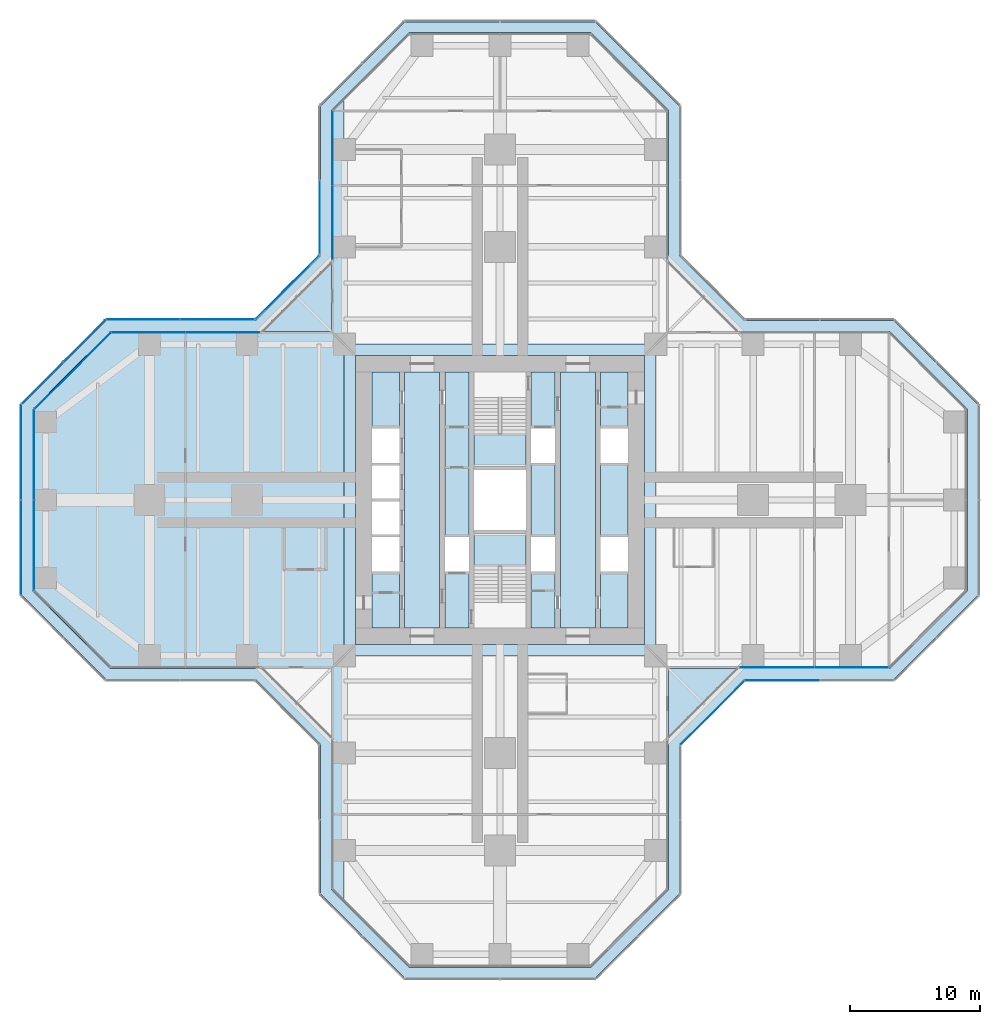
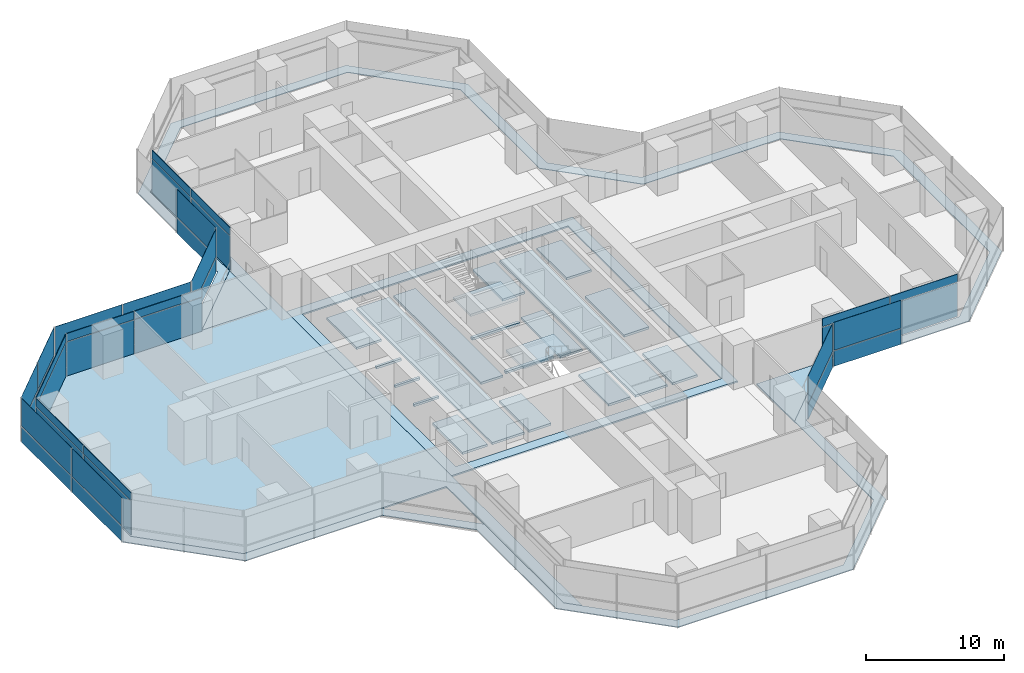
# One storey, part 15 of 22: 39 plates, 7 slabs, 14 elements without a shape of their own.
"""IFC4 building model written with IfcOpenShell, lengths in metres."""

from ifc_helpers import new_model, si_unit, direction, frame, origin, origin_2d, place, context, subcontext, project, spatial, polyline, rectangle, outline, extrude, material, layer, layer_set, type_object, element, aggregate, save


model = new_model("IFC4")

# Units and contexts
model_context = context("Model", 3, precision=1e-05, world=origin(), true_north=direction((0.0, 1.0)))
body_context = subcontext(model_context, "Body", "Model", "MODEL_VIEW")
ifc_project = project(units=[si_unit("LENGTHUNIT", "METRE"), si_unit("AREAUNIT", "SQUARE_METRE"), si_unit("VOLUMEUNIT", "CUBIC_METRE"), si_unit("PLANEANGLEUNIT", "RADIAN"), si_unit("MASSUNIT", "GRAM", prefix="KILO")], contexts=[model_context])

# Site, building, storey
site_placement = place(None, origin())
site = spatial("IfcSite", under=ifc_project, at=site_placement, CompositionType="ELEMENT")
building_placement = place(site_placement, origin())
building = spatial("IfcBuilding", under=site, at=building_placement, Name="Mizan Broadcast Tower", CompositionType="ELEMENT")
storey_placement = place(building_placement, frame((0.0, 0.0, 105.89990234375)))
storey = spatial("IfcBuildingStorey", under=building, at=storey_placement, Name="L23", CompositionType="ELEMENT", Elevation=105.89990234375)

# Plate
ifc_material_1 = material(Name="Aluminium grating", Category="aluminium")
ifc_layer_1 = layer(ifc_material_1, 0.050048828125)
ifc_layer_set_1 = layer_set([ifc_layer_1], Name="Aluminium grating")
plate_type_1 = type_object("IfcPlateType", Name="CAVITY GRATING", PredefinedType="USERDEFINED", material=ifc_layer_set_1)
plate_1_placement = place(storey_placement, frame((0.0, 0.0, -0.0498046875)))
element("IfcPlate", 1, at=plate_1_placement, inside=storey, type_object=plate_type_1, Name="Cavity grating L23", ObjectType="GRATING", PredefinedType="USERDEFINED", context=body_context, shape_type="SweptSolid", body=[
    extrude(outline(polyline([(13.820068359375, -18.839599609375), (18.839599609375, -13.820068359375), (30.339599609375, -13.820068359375), (36.820068359375, -7.339599609375), (36.820068359375, 7.339599609375), (30.339599609375, 13.820068359375), (18.839599609375, 13.820068359375), (13.820068359375, 18.839599609375), (13.820068359375, 30.339599609375), (7.339599609375, 36.820068359375), (-7.339599609375, 36.820068359375), (-13.820068359375, 30.339599609375), (-13.820068359375, 18.839599609375), (-18.839599609375, 13.820068359375), (-30.339599609375, 13.820068359375), (-36.820068359375, 7.339599609375), (-36.820068359375, -7.339599609375), (-30.339599609375, -13.820068359375), (-18.839599609375, -13.820068359375), (-13.820068359375, -18.839599609375), (-13.820068359375, -30.339599609375), (-7.339599609375, -36.820068359375), (7.339599609375, -36.820068359375), (13.820068359375, -30.339599609375), (13.820068359375, -18.839599609375)]), holes=[polyline([(36.0, 7.0), (36.0, -7.0), (30.0, -13.0), (18.5, -13.0), (13.0, -18.5), (13.0, -30.0), (7.0, -36.0), (-7.0, -36.0), (-13.0, -30.0), (-13.0, -18.5), (-18.5, -13.0), (-30.0, -13.0), (-36.0, -7.0), (-36.0, 7.0), (-30.0, 13.0), (-18.5, 13.0), (-13.0, 18.5), (-13.0, 30.0), (-7.0, 36.0), (7.0, 36.0), (13.0, 30.0), (13.0, 18.5), (18.5, 13.0), (30.0, 13.0), (36.0, 7.0)])]), origin(), (0.0, 0.0, 1.0), 0.0498046875),
])

# Slabs
ifc_material_2 = material(Name="Concrete C32/40", Category="concrete")
ifc_layer_2 = layer(ifc_material_2, 0.1298828125)
ifc_layer_set_2 = layer_set([ifc_layer_2], Name="Concrete C32/40")
slab_type_1 = type_object("IfcSlabType", Name="COMPOSITE DECK SLAB 130", PredefinedType="FLOOR", material=ifc_layer_set_2)
slab_1_placement = place(storey_placement, frame((0.0, 0.0, -0.1298828125)))
element("IfcSlab", 2, at=slab_1_placement, inside=storey, type_object=slab_type_1, Name="Floor slab L23 centre", PredefinedType="FLOOR", context=body_context, shape_type="SweptSolid", body=[
    extrude(outline(polyline([(-12.0, -12.0), (12.0, -12.0), (12.0, 12.0), (-12.0, 12.0), (-12.0, -12.0)]), holes=[polyline([(-11.14990234375, 11.14990234375), (11.14990234375, 11.14990234375), (11.14990234375, -11.14990234375), (-11.14990234375, -11.14990234375), (-11.14990234375, 11.14990234375)])]), origin(), (0.0, 0.0, 1.0), 0.1298828125),
])
slab_2_placement = place(storey_placement, frame((0.0, 0.0, -0.1298828125)))
element("IfcSlab", 3, at=slab_2_placement, inside=storey, type_object=slab_type_1, Name="Floor slab L23 west arm", PredefinedType="FLOOR", context=body_context, shape_type="SweptSolid", body=[
    extrude(outline(polyline([(-13.0, -30.0), (-12.0, -31.0), (-12.0, 31.0), (-13.0, 30.0), (-13.0, 13.0), (-30.0, 13.0), (-36.0, 7.0), (-36.0, -7.0), (-30.0, -13.0), (-13.0, -13.0), (-13.0, -30.0)])), origin(), (0.0, 0.0, 1.0), 0.1298828125),
])
ifc_material_3 = material(Name="Concrete C40/50", Category="concrete")
ifc_layer_3 = layer(ifc_material_3, 0.199951171875)
ifc_layer_set_3 = layer_set([ifc_layer_3], Name="Concrete C40/50")
slab_type_2 = type_object("IfcSlabType", Name="CORE FLOOR 200", PredefinedType="FLOOR", material=ifc_layer_set_3)
slab_3_placement = place(storey_placement, frame((0.0, 0.0, -0.199951171875)))
element("IfcSlab", 4, at=slab_3_placement, inside=storey, type_object=slab_type_2, Name="Core floor L23", PredefinedType="FLOOR", context=body_context, shape_type="SweptSolid", body=[
    extrude(outline(polyline([(-9.85009765625, -9.85009765625), (-7.75, -9.85009765625), (-7.75, -5.5), (-9.85009765625, -5.5), (-9.85009765625, -9.85009765625)])), origin(), (0.0, 0.0, 1.0), 0.199951171875),
    extrude(outline(polyline([(-9.85009765625, -2.85009765625), (-7.75, -2.85009765625), (-7.75, -2.64990234375), (-9.85009765625, -2.64990234375), (-9.85009765625, -2.85009765625)])), origin(), (0.0, 0.0, 1.0), 0.199951171875),
    extrude(outline(polyline([(-9.85009765625, -0.10009765625), (-7.75, -0.10009765625), (-7.75, 0.10009765625), (-9.85009765625, 0.10009765625), (-9.85009765625, -0.10009765625)])), origin(), (0.0, 0.0, 1.0), 0.199951171875),
    extrude(outline(polyline([(-9.85009765625, 2.64990234375), (-7.75, 2.64990234375), (-7.75, 2.85009765625), (-9.85009765625, 2.85009765625), (-9.85009765625, 2.64990234375)])), origin(), (0.0, 0.0, 1.0), 0.199951171875),
    extrude(outline(polyline([(-9.85009765625, 5.5), (-7.75, 5.5), (-7.75, 9.85009765625), (-9.85009765625, 9.85009765625), (-9.85009765625, 5.5)])), origin(), (0.0, 0.0, 1.0), 0.199951171875),
    extrude(outline(polyline([(-4.64990234375, 9.85009765625), (-7.35009765625, 9.85009765625), (-7.35009765625, -9.85009765625), (-4.64990234375, -9.85009765625), (-4.64990234375, 9.85009765625)])), origin(), (0.0, 0.0, 1.0), 0.199951171875),
    extrude(outline(polyline([(-4.25, -5.5), (-4.25, -9.85009765625), (-2.39990234375, -9.85009765625), (-2.39990234375, -5.5), (-4.25, -5.5)])), origin(), (0.0, 0.0, 1.0), 0.199951171875),
    extrude(outline(polyline([(-4.25, -2.85009765625), (-2.39990234375, -2.85009765625), (-2.39990234375, 9.85009765625), (-4.25, 9.85009765625), (-4.25, -2.85009765625)])), origin(), (0.0, 0.0, 1.0), 0.199951171875),
    extrude(outline(polyline([(2.0, -2.324951171875), (-2.0, -2.324951171875), (-2.0, -2.574951171875), (2.0, -2.574951171875), (2.0, -2.324951171875)])), origin(), (0.0, 0.0, 1.0), 0.199951171875),
    extrude(outline(polyline([(2.0, 2.574951171875), (-2.0, 2.574951171875), (-2.0, 2.324951171875), (2.0, 2.324951171875), (2.0, 2.574951171875)])), origin(), (0.0, 0.0, 1.0), 0.199951171875),
    extrude(outline(polyline([(4.25, -9.85009765625), (4.25, -5.5), (2.39990234375, -5.5), (2.39990234375, -9.85009765625), (4.25, -9.85009765625)])), origin(), (0.0, 0.0, 1.0), 0.199951171875),
    extrude(outline(polyline([(4.25, -2.85009765625), (4.25, 2.85009765625), (2.39990234375, 2.85009765625), (2.39990234375, -2.85009765625), (4.25, -2.85009765625)])), origin(), (0.0, 0.0, 1.0), 0.199951171875),
    extrude(outline(polyline([(4.25, 5.5), (4.25, 9.85009765625), (2.39990234375, 9.85009765625), (2.39990234375, 5.5), (4.25, 5.5)])), origin(), (0.0, 0.0, 1.0), 0.199951171875),
    extrude(outline(polyline([(4.64990234375, 9.85009765625), (4.64990234375, -9.85009765625), (7.35009765625, -9.85009765625), (7.35009765625, 9.85009765625), (4.64990234375, 9.85009765625)])), origin(), (0.0, 0.0, 1.0), 0.199951171875),
    extrude(outline(polyline([(9.85009765625, -9.85009765625), (9.85009765625, -5.5), (7.75, -5.5), (7.75, -9.85009765625), (9.85009765625, -9.85009765625)])), origin(), (0.0, 0.0, 1.0), 0.199951171875),
    extrude(outline(polyline([(7.75, 2.85009765625), (7.75, -2.85009765625), (9.85009765625, -2.85009765625), (9.85009765625, 2.85009765625), (7.75, 2.85009765625)])), origin(), (0.0, 0.0, 1.0), 0.199951171875),
    extrude(outline(polyline([(9.85009765625, 5.5), (9.85009765625, 9.85009765625), (7.75, 9.85009765625), (7.75, 5.5), (9.85009765625, 5.5)])), origin(), (0.0, 0.0, 1.0), 0.199951171875),
])

# Curtain wall, plates
ifc_material_4 = material(Name="Aluminium framed glazing", Category="aluminium")
curtain_wall_type_1 = type_object("IfcCurtainWallType", Name="INNER SKIN LOW ZONE", PredefinedType="USERDEFINED", material=ifc_material_4)
curtain_wall_1_placement = place(storey_placement, origin())
curtain_wall_1 = element("IfcCurtainWall", 5, at=curtain_wall_1_placement, inside=storey, type_object=curtain_wall_type_1, Name="Inner skin low zone L23 E side", ObjectType="INNER SKIN LOW ZONE", PredefinedType="USERDEFINED")
ifc_material_5 = material(Name="Double glazing, clear low-e", Category="glass")
ifc_layer_4 = layer(ifc_material_5, 0.028076171875)
ifc_layer_set_4 = layer_set([ifc_layer_4], Name="Double glazing, clear low-e")
plate_type_2 = type_object("IfcPlateType", Name="INNER SKIN GLAZING UNIT", PredefinedType="CURTAIN_PANEL", material=ifc_layer_set_4)
plate_2_placement = place(storey_placement, frame((21.379638671875, -12.89990234375, 0.0), z_axis=(0.0, 0.0, 1.0), x_axis=(1.0, 0.0, 0.0)))
plate_2 = element("IfcPlate", 6, at=plate_2_placement, type_object=plate_type_2, Name="Inner skin low zone L23 E side panel 1.1", PredefinedType="CURTAIN_PANEL", context=body_context, shape_type="SweptSolid", body=[
    extrude(rectangle(XDim=5.639404296875, YDim=0.028076171875, at=origin_2d()), origin(), (0.0, 0.0, 1.0), 3.0),
])
plate_3_placement = place(storey_placement, frame((27.078857421875, -12.89990234375, 0.0), z_axis=(0.0, 0.0, 1.0), x_axis=(1.0, 0.0, 0.0)))
plate_3 = element("IfcPlate", 7, at=plate_3_placement, type_object=plate_type_2, Name="Inner skin low zone L23 E side panel 2.1", PredefinedType="CURTAIN_PANEL", context=body_context, shape_type="SweptSolid", body=[
    extrude(rectangle(XDim=5.639404296875, YDim=0.028076171875, at=origin_2d()), origin(), (0.0, 0.0, 1.0), 3.0),
])

curtain_wall_2_placement = place(storey_placement, origin())
curtain_wall_2 = element("IfcCurtainWall", 8, at=curtain_wall_2_placement, inside=storey, type_object=curtain_wall_type_1, Name="Inner skin low zone L23 N side", ObjectType="INNER SKIN LOW ZONE", PredefinedType="USERDEFINED")
plate_4_placement = place(storey_placement, frame((-12.89990234375, 27.078857421875, 0.0), z_axis=(0.0, 0.0, 1.0), x_axis=(0.0, -1.0, 0.0)))
plate_4 = element("IfcPlate", 9, at=plate_4_placement, type_object=plate_type_2, Name="Inner skin low zone L23 N side panel 1.1", PredefinedType="CURTAIN_PANEL", context=body_context, shape_type="SweptSolid", body=[
    extrude(rectangle(XDim=5.639404296875, YDim=0.028076171875, at=origin_2d()), origin(), (0.0, 0.0, 1.0), 3.0),
])
plate_5_placement = place(storey_placement, frame((-12.89990234375, 21.379638671875, 0.0), z_axis=(0.0, 0.0, 1.0), x_axis=(0.0, -1.0, 0.0)))
plate_5 = element("IfcPlate", 10, at=plate_5_placement, type_object=plate_type_2, Name="Inner skin low zone L23 N side panel 2.1", PredefinedType="CURTAIN_PANEL", context=body_context, shape_type="SweptSolid", body=[
    extrude(rectangle(XDim=5.639404296875, YDim=0.028076171875, at=origin_2d()), origin(), (0.0, 0.0, 1.0), 3.0),
])

curtain_wall_3_placement = place(storey_placement, origin())
curtain_wall_3 = element("IfcCurtainWall", 11, at=curtain_wall_3_placement, inside=storey, type_object=curtain_wall_type_1, Name="Inner skin low zone L23 W side", ObjectType="INNER SKIN LOW ZONE", PredefinedType="USERDEFINED")
plate_6_placement = place(storey_placement, frame((-21.379638671875, 12.89990234375, 0.0), z_axis=(0.0, 0.0, 1.0), x_axis=(-1.0, 0.0, 0.0)))
plate_6 = element("IfcPlate", 12, at=plate_6_placement, type_object=plate_type_2, Name="Inner skin low zone L23 W side panel 1.1", PredefinedType="CURTAIN_PANEL", context=body_context, shape_type="SweptSolid", body=[
    extrude(rectangle(XDim=5.639404296875, YDim=0.028076171875, at=origin_2d()), origin(), (0.0, 0.0, 1.0), 3.0),
])
plate_7_placement = place(storey_placement, frame((-27.078857421875, 12.89990234375, 0.0), z_axis=(0.0, 0.0, 1.0), x_axis=(-1.0, 0.0, 0.0)))
plate_7 = element("IfcPlate", 13, at=plate_7_placement, type_object=plate_type_2, Name="Inner skin low zone L23 W side panel 2.1", PredefinedType="CURTAIN_PANEL", context=body_context, shape_type="SweptSolid", body=[
    extrude(rectangle(XDim=5.639404296875, YDim=0.028076171875, at=origin_2d()), origin(), (0.0, 0.0, 1.0), 3.0),
])

# Curtain wall, plate
curtain_wall_4_placement = place(storey_placement, origin())
curtain_wall_4 = element("IfcCurtainWall", 14, at=curtain_wall_4_placement, inside=storey, type_object=curtain_wall_type_1, Name="Inner skin low zone L23 W chamfer", ObjectType="INNER SKIN LOW ZONE", PredefinedType="USERDEFINED")
plate_8_placement = place(storey_placement, frame((-32.92919921875, 9.92919921875, 0.0), z_axis=(0.0, 0.0, 1.0), x_axis=(-0.707106781187, -0.707106781187, 0.0)))
plate_8 = element("IfcPlate", 15, at=plate_8_placement, type_object=plate_type_2, Name="Inner skin low zone L23 W chamfer panel 1.1", PredefinedType="CURTAIN_PANEL", context=body_context, shape_type="SweptSolid", body=[
    extrude(rectangle(XDim=8.282470703125, YDim=0.028076171875, at=origin_2d()), origin(), (0.0, 0.0, 1.0), 3.0),
])

# Curtain wall, plates
curtain_wall_5_placement = place(storey_placement, origin())
curtain_wall_5 = element("IfcCurtainWall", 16, at=curtain_wall_5_placement, inside=storey, type_object=curtain_wall_type_1, Name="Inner skin low zone L23 W end", ObjectType="INNER SKIN LOW ZONE", PredefinedType="USERDEFINED")
plate_9_placement = place(storey_placement, frame((-35.89990234375, 3.46435546875, 0.0), z_axis=(0.0, 0.0, 1.0), x_axis=(0.0, -1.0, 0.0)))
plate_9 = element("IfcPlate", 17, at=plate_9_placement, type_object=plate_type_2, Name="Inner skin low zone L23 W end panel 1.1", PredefinedType="CURTAIN_PANEL", context=body_context, shape_type="SweptSolid", body=[
    extrude(rectangle(XDim=6.86865234375, YDim=0.028076171875, at=origin_2d()), origin(), (0.0, 0.0, 1.0), 3.0),
])
plate_10_placement = place(storey_placement, frame((-35.89990234375, -3.46435546875, 0.0), z_axis=(0.0, 0.0, 1.0), x_axis=(0.0, -1.0, 0.0)))
plate_10 = element("IfcPlate", 18, at=plate_10_placement, type_object=plate_type_2, Name="Inner skin low zone L23 W end panel 2.1", PredefinedType="CURTAIN_PANEL", context=body_context, shape_type="SweptSolid", body=[
    extrude(rectangle(XDim=6.86865234375, YDim=0.028076171875, at=origin_2d()), origin(), (0.0, 0.0, 1.0), 3.0),
])

# Plate
ifc_material_6 = material(Name="Insulated aluminium spandrel panel, pale anodised", Category="aluminium")
ifc_layer_5 = layer(ifc_material_6, 0.050048828125)
ifc_layer_set_5 = layer_set([ifc_layer_5], Name="Insulated aluminium spandrel panel, pale anodised")
plate_type_3 = type_object("IfcPlateType", Name="INNER SKIN SPANDREL PANEL", PredefinedType="CURTAIN_PANEL", material=ifc_layer_set_5)
plate_11_placement = place(storey_placement, frame((21.379638671875, -12.89990234375, 3.06005859375), z_axis=(0.0, 0.0, 1.0), x_axis=(1.0, 0.0, 0.0)))
plate_11 = element("IfcPlate", 19, at=plate_11_placement, type_object=plate_type_3, Name="Inner skin low zone L23 E side panel 1.2", PredefinedType="CURTAIN_PANEL", context=body_context, shape_type="SweptSolid", body=[
    extrude(rectangle(XDim=5.639404296875, YDim=0.050048828125, at=origin_2d()), origin(), (0.0, 0.0, 1.0), 0.7099609375),
])

plate_12_placement = place(storey_placement, frame((27.078857421875, -12.89990234375, 3.06005859375), z_axis=(0.0, 0.0, 1.0), x_axis=(1.0, 0.0, 0.0)))
plate_12 = element("IfcPlate", 20, at=plate_12_placement, type_object=plate_type_3, Name="Inner skin low zone L23 E side panel 2.2", PredefinedType="CURTAIN_PANEL", context=body_context, shape_type="SweptSolid", body=[
    extrude(rectangle(XDim=5.639404296875, YDim=0.050048828125, at=origin_2d()), origin(), (0.0, 0.0, 1.0), 0.7099609375),
])

aggregate(curtain_wall_1, [plate_2, plate_11, plate_3, plate_12])

plate_13_placement = place(storey_placement, frame((-12.89990234375, 27.078857421875, 3.06005859375), z_axis=(0.0, 0.0, 1.0), x_axis=(0.0, -1.0, 0.0)))
plate_13 = element("IfcPlate", 21, at=plate_13_placement, type_object=plate_type_3, Name="Inner skin low zone L23 N side panel 1.2", PredefinedType="CURTAIN_PANEL", context=body_context, shape_type="SweptSolid", body=[
    extrude(rectangle(XDim=5.639404296875, YDim=0.050048828125, at=origin_2d()), origin(), (0.0, 0.0, 1.0), 0.7099609375),
])

plate_14_placement = place(storey_placement, frame((-12.89990234375, 21.379638671875, 3.06005859375), z_axis=(0.0, 0.0, 1.0), x_axis=(0.0, -1.0, 0.0)))
plate_14 = element("IfcPlate", 22, at=plate_14_placement, type_object=plate_type_3, Name="Inner skin low zone L23 N side panel 2.2", PredefinedType="CURTAIN_PANEL", context=body_context, shape_type="SweptSolid", body=[
    extrude(rectangle(XDim=5.639404296875, YDim=0.050048828125, at=origin_2d()), origin(), (0.0, 0.0, 1.0), 0.7099609375),
])

aggregate(curtain_wall_2, [plate_4, plate_13, plate_5, plate_14])

plate_15_placement = place(storey_placement, frame((-21.379638671875, 12.89990234375, 3.06005859375), z_axis=(0.0, 0.0, 1.0), x_axis=(-1.0, 0.0, 0.0)))
plate_15 = element("IfcPlate", 23, at=plate_15_placement, type_object=plate_type_3, Name="Inner skin low zone L23 W side panel 1.2", PredefinedType="CURTAIN_PANEL", context=body_context, shape_type="SweptSolid", body=[
    extrude(rectangle(XDim=5.639404296875, YDim=0.050048828125, at=origin_2d()), origin(), (0.0, 0.0, 1.0), 0.7099609375),
])

plate_16_placement = place(storey_placement, frame((-27.078857421875, 12.89990234375, 3.06005859375), z_axis=(0.0, 0.0, 1.0), x_axis=(-1.0, 0.0, 0.0)))
plate_16 = element("IfcPlate", 24, at=plate_16_placement, type_object=plate_type_3, Name="Inner skin low zone L23 W side panel 2.2", PredefinedType="CURTAIN_PANEL", context=body_context, shape_type="SweptSolid", body=[
    extrude(rectangle(XDim=5.639404296875, YDim=0.050048828125, at=origin_2d()), origin(), (0.0, 0.0, 1.0), 0.7099609375),
])

aggregate(curtain_wall_3, [plate_6, plate_15, plate_7, plate_16])

plate_17_placement = place(storey_placement, frame((-32.92919921875, 9.92919921875, 3.06005859375), z_axis=(0.0, 0.0, 1.0), x_axis=(-0.707106781187, -0.707106781187, 0.0)))
plate_17 = element("IfcPlate", 25, at=plate_17_placement, type_object=plate_type_3, Name="Inner skin low zone L23 W chamfer panel 1.2", PredefinedType="CURTAIN_PANEL", context=body_context, shape_type="SweptSolid", body=[
    extrude(rectangle(XDim=8.282470703125, YDim=0.050048828125, at=origin_2d()), origin(), (0.0, 0.0, 1.0), 0.7099609375),
])

aggregate(curtain_wall_4, [plate_8, plate_17])

plate_18_placement = place(storey_placement, frame((-35.89990234375, 3.46435546875, 3.06005859375), z_axis=(0.0, 0.0, 1.0), x_axis=(0.0, -1.0, 0.0)))
plate_18 = element("IfcPlate", 26, at=plate_18_placement, type_object=plate_type_3, Name="Inner skin low zone L23 W end panel 1.2", PredefinedType="CURTAIN_PANEL", context=body_context, shape_type="SweptSolid", body=[
    extrude(rectangle(XDim=6.86865234375, YDim=0.050048828125, at=origin_2d()), origin(), (0.0, 0.0, 1.0), 0.7099609375),
])

plate_19_placement = place(storey_placement, frame((-35.89990234375, -3.46435546875, 3.06005859375), z_axis=(0.0, 0.0, 1.0), x_axis=(0.0, -1.0, 0.0)))
plate_19 = element("IfcPlate", 27, at=plate_19_placement, type_object=plate_type_3, Name="Inner skin low zone L23 W end panel 2.2", PredefinedType="CURTAIN_PANEL", context=body_context, shape_type="SweptSolid", body=[
    extrude(rectangle(XDim=6.86865234375, YDim=0.050048828125, at=origin_2d()), origin(), (0.0, 0.0, 1.0), 0.7099609375),
])

aggregate(curtain_wall_5, [plate_9, plate_18, plate_10, plate_19])

# Curtain wall, plates
ifc_material_7 = material(Name="Aluminium framed glazing", Category="aluminium")
curtain_wall_type_2 = type_object("IfcCurtainWallType", Name="OUTER SKIN", PredefinedType="USERDEFINED", material=ifc_material_7)
curtain_wall_6_placement = place(storey_placement, origin())
curtain_wall_6 = element("IfcCurtainWall", 28, at=curtain_wall_6_placement, inside=storey, type_object=curtain_wall_type_2, Name="Outer skin L23 W chamfer", ObjectType="OUTER SKIN", PredefinedType="USERDEFINED")
ifc_material_8 = material(Name="Laminated clear glass", Category="glass")
ifc_layer_6 = layer(ifc_material_8, 0.02001953125)
ifc_layer_set_6 = layer_set([ifc_layer_6], Name="Laminated clear glass")
plate_type_4 = type_object("IfcPlateType", Name="OUTER SKIN CLEAR GLASS", PredefinedType="CURTAIN_PANEL", material=ifc_layer_set_6)
plate_20_placement = place(storey_placement, frame((-16.386474609375, 16.386474609375, 0.0), z_axis=(0.0, 0.0, 1.0), x_axis=(-0.707106781187, -0.707106781187, 0.0)))
plate_20 = element("IfcPlate", 29, at=plate_20_placement, type_object=plate_type_4, Name="Outer skin L23 W chamfer panel 1.1", PredefinedType="CURTAIN_PANEL", context=body_context, shape_type="SweptSolid", body=[
    extrude(rectangle(XDim=6.87255859375, YDim=0.02001953125, at=origin_2d()), origin(), (0.0, 0.0, 1.0), 1.3701171875),
])
plate_21_placement = place(storey_placement, frame((-16.386474609375, 16.386474609375, 1.43017578125), z_axis=(0.0, 0.0, 1.0), x_axis=(-0.707106781187, -0.707106781187, 0.0)))
plate_21 = element("IfcPlate", 30, at=plate_21_placement, type_object=plate_type_4, Name="Outer skin L23 W chamfer panel 1.2", PredefinedType="CURTAIN_PANEL", context=body_context, shape_type="SweptSolid", body=[
    extrude(rectangle(XDim=6.87255859375, YDim=0.02001953125, at=origin_2d()), origin(), (0.0, 0.0, 1.0), 2.469970703125),
])
aggregate(curtain_wall_6, [plate_20, plate_21])

curtain_wall_7_placement = place(storey_placement, origin())
curtain_wall_7 = element("IfcCurtainWall", 31, at=curtain_wall_7_placement, inside=storey, type_object=curtain_wall_type_2, Name="Outer skin L23 W side", ObjectType="OUTER SKIN", PredefinedType="USERDEFINED")
plate_22_placement = place(storey_placement, frame((-21.767822265625, 13.89990234375, 0.0), z_axis=(0.0, 0.0, 1.0), x_axis=(-1.0, 0.0, 0.0)))
plate_22 = element("IfcPlate", 32, at=plate_22_placement, type_object=plate_type_4, Name="Outer skin L23 W side panel 1.1", PredefinedType="CURTAIN_PANEL", context=body_context, shape_type="SweptSolid", body=[
    extrude(rectangle(XDim=5.6298828125, YDim=0.02001953125, at=origin_2d()), origin(), (0.0, 0.0, 1.0), 1.3701171875),
])
plate_23_placement = place(storey_placement, frame((-21.767822265625, 13.89990234375, 1.43017578125), z_axis=(0.0, 0.0, 1.0), x_axis=(-1.0, 0.0, 0.0)))
plate_23 = element("IfcPlate", 33, at=plate_23_placement, type_object=plate_type_4, Name="Outer skin L23 W side panel 1.2", PredefinedType="CURTAIN_PANEL", context=body_context, shape_type="SweptSolid", body=[
    extrude(rectangle(XDim=5.6298828125, YDim=0.02001953125, at=origin_2d()), origin(), (0.0, 0.0, 1.0), 2.469970703125),
])
plate_24_placement = place(storey_placement, frame((-27.477783203125, 13.89990234375, 0.0), z_axis=(0.0, 0.0, 1.0), x_axis=(-1.0, 0.0, 0.0)))
plate_24 = element("IfcPlate", 34, at=plate_24_placement, type_object=plate_type_4, Name="Outer skin L23 W side panel 2.1", PredefinedType="CURTAIN_PANEL", context=body_context, shape_type="SweptSolid", body=[
    extrude(rectangle(XDim=5.6298828125, YDim=0.02001953125, at=origin_2d()), origin(), (0.0, 0.0, 1.0), 1.3701171875),
])
plate_25_placement = place(storey_placement, frame((-27.477783203125, 13.89990234375, 1.43017578125), z_axis=(0.0, 0.0, 1.0), x_axis=(-1.0, 0.0, 0.0)))
plate_25 = element("IfcPlate", 35, at=plate_25_placement, type_object=plate_type_4, Name="Outer skin L23 W side panel 2.2", PredefinedType="CURTAIN_PANEL", context=body_context, shape_type="SweptSolid", body=[
    extrude(rectangle(XDim=5.6298828125, YDim=0.02001953125, at=origin_2d()), origin(), (0.0, 0.0, 1.0), 2.469970703125),
])
aggregate(curtain_wall_7, [plate_22, plate_23, plate_24, plate_25])

curtain_wall_8_placement = place(storey_placement, origin())
curtain_wall_8 = element("IfcCurtainWall", 36, at=curtain_wall_8_placement, inside=storey, type_object=curtain_wall_type_2, Name="Outer skin L23 W chamfer", ObjectType="OUTER SKIN", PredefinedType="USERDEFINED")
plate_26_placement = place(storey_placement, frame((-32.018798828125, 12.254150390625, 0.0), z_axis=(0.0, 0.0, 1.0), x_axis=(-0.707106781187, -0.707106781187, 0.0)))
plate_26 = element("IfcPlate", 37, at=plate_26_placement, type_object=plate_type_4, Name="Outer skin L23 W chamfer panel 1.1", PredefinedType="CURTAIN_PANEL", context=body_context, shape_type="SweptSolid", body=[
    extrude(rectangle(XDim=4.495361328125, YDim=0.02001953125, at=origin_2d()), origin(), (0.0, 0.0, 1.0), 1.3701171875),
])
plate_27_placement = place(storey_placement, frame((-32.018798828125, 12.254150390625, 1.43017578125), z_axis=(0.0, 0.0, 1.0), x_axis=(-0.707106781187, -0.707106781187, 0.0)))
plate_27 = element("IfcPlate", 38, at=plate_27_placement, type_object=plate_type_4, Name="Outer skin L23 W chamfer panel 1.2", PredefinedType="CURTAIN_PANEL", context=body_context, shape_type="SweptSolid", body=[
    extrude(rectangle(XDim=4.495361328125, YDim=0.02001953125, at=origin_2d()), origin(), (0.0, 0.0, 1.0), 2.469970703125),
])

curtain_wall_9_placement = place(storey_placement, origin())
curtain_wall_9 = element("IfcCurtainWall", 39, at=curtain_wall_9_placement, inside=storey, type_object=curtain_wall_type_2, Name="Outer skin L23 W end", ObjectType="OUTER SKIN", PredefinedType="USERDEFINED")
plate_28_placement = place(storey_placement, frame((-36.89990234375, 3.66650390625, 0.0), z_axis=(0.0, 0.0, 1.0), x_axis=(0.0, -1.0, 0.0)))
plate_28 = element("IfcPlate", 40, at=plate_28_placement, type_object=plate_type_4, Name="Outer skin L23 W end panel 1.1", PredefinedType="CURTAIN_PANEL", context=body_context, shape_type="SweptSolid", body=[
    extrude(rectangle(XDim=7.252685546875, YDim=0.02001953125, at=origin_2d()), origin(), (0.0, 0.0, 1.0), 1.3701171875),
])
plate_29_placement = place(storey_placement, frame((-36.89990234375, 3.66650390625, 1.43017578125), z_axis=(0.0, 0.0, 1.0), x_axis=(0.0, -1.0, 0.0)))
plate_29 = element("IfcPlate", 41, at=plate_29_placement, type_object=plate_type_4, Name="Outer skin L23 W end panel 1.2", PredefinedType="CURTAIN_PANEL", context=body_context, shape_type="SweptSolid", body=[
    extrude(rectangle(XDim=7.252685546875, YDim=0.02001953125, at=origin_2d()), origin(), (0.0, 0.0, 1.0), 2.469970703125),
])

curtain_wall_10_placement = place(storey_placement, origin())
curtain_wall_10 = element("IfcCurtainWall", 42, at=curtain_wall_10_placement, inside=storey, type_object=curtain_wall_type_2, Name="Outer skin L23 E chamfer", ObjectType="OUTER SKIN", PredefinedType="USERDEFINED")
plate_30_placement = place(storey_placement, frame((16.386474609375, -16.386474609375, 0.0), z_axis=(0.0, 0.0, 1.0), x_axis=(0.707106781187, 0.707106781187, 0.0)))
plate_30 = element("IfcPlate", 43, at=plate_30_placement, type_object=plate_type_4, Name="Outer skin L23 E chamfer panel 1.1", PredefinedType="CURTAIN_PANEL", context=body_context, shape_type="SweptSolid", body=[
    extrude(rectangle(XDim=6.87255859375, YDim=0.02001953125, at=origin_2d()), origin(), (0.0, 0.0, 1.0), 1.3701171875),
])
plate_31_placement = place(storey_placement, frame((16.386474609375, -16.386474609375, 1.43017578125), z_axis=(0.0, 0.0, 1.0), x_axis=(0.707106781187, 0.707106781187, 0.0)))
plate_31 = element("IfcPlate", 44, at=plate_31_placement, type_object=plate_type_4, Name="Outer skin L23 E chamfer panel 1.2", PredefinedType="CURTAIN_PANEL", context=body_context, shape_type="SweptSolid", body=[
    extrude(rectangle(XDim=6.87255859375, YDim=0.02001953125, at=origin_2d()), origin(), (0.0, 0.0, 1.0), 2.469970703125),
])
aggregate(curtain_wall_10, [plate_30, plate_31])

curtain_wall_11_placement = place(storey_placement, origin())
curtain_wall_11 = element("IfcCurtainWall", 45, at=curtain_wall_11_placement, inside=storey, type_object=curtain_wall_type_2, Name="Outer skin L23 E side", ObjectType="OUTER SKIN", PredefinedType="USERDEFINED")
plate_32_placement = place(storey_placement, frame((21.767822265625, -13.89990234375, 0.0), z_axis=(0.0, 0.0, 1.0), x_axis=(1.0, 0.0, 0.0)))
plate_32 = element("IfcPlate", 46, at=plate_32_placement, type_object=plate_type_4, Name="Outer skin L23 E side panel 1.1", PredefinedType="CURTAIN_PANEL", context=body_context, shape_type="SweptSolid", body=[
    extrude(rectangle(XDim=5.6298828125, YDim=0.02001953125, at=origin_2d()), origin(), (0.0, 0.0, 1.0), 1.3701171875),
])
plate_33_placement = place(storey_placement, frame((21.767822265625, -13.89990234375, 1.43017578125), z_axis=(0.0, 0.0, 1.0), x_axis=(1.0, 0.0, 0.0)))
plate_33 = element("IfcPlate", 47, at=plate_33_placement, type_object=plate_type_4, Name="Outer skin L23 E side panel 1.2", PredefinedType="CURTAIN_PANEL", context=body_context, shape_type="SweptSolid", body=[
    extrude(rectangle(XDim=5.6298828125, YDim=0.02001953125, at=origin_2d()), origin(), (0.0, 0.0, 1.0), 2.469970703125),
])
aggregate(curtain_wall_11, [plate_32, plate_33])

curtain_wall_12_placement = place(storey_placement, origin())
curtain_wall_12 = element("IfcCurtainWall", 48, at=curtain_wall_12_placement, inside=storey, type_object=curtain_wall_type_2, Name="Outer skin L23 N side", ObjectType="OUTER SKIN", PredefinedType="USERDEFINED")
ifc_material_9 = material(Name="Perforated aluminium, pale anodised", Category="aluminium")
ifc_layer_7 = layer(ifc_material_9, 0.011962890625)
ifc_layer_set_7 = layer_set([ifc_layer_7], Name="Perforated aluminium, pale anodised")
plate_type_5 = type_object("IfcPlateType", Name="OUTER SKIN PERFORATED SCREEN", PredefinedType="USERDEFINED", material=ifc_layer_set_7)
plate_34_placement = place(storey_placement, frame((-13.89990234375, 21.767822265625, 0.0), z_axis=(0.0, 0.0, 1.0), x_axis=(0.0, -1.0, 0.0)))
plate_34 = element("IfcPlate", 49, at=plate_34_placement, type_object=plate_type_5, Name="Outer skin L23 N side panel 2.1", ObjectType="SCREEN", PredefinedType="USERDEFINED", context=body_context, shape_type="SweptSolid", body=[
    extrude(rectangle(XDim=5.6298828125, YDim=0.011962890625, at=origin_2d()), origin(), (0.0, 0.0, 1.0), 1.3701171875),
])
plate_35_placement = place(storey_placement, frame((-13.89990234375, 21.767822265625, 1.43017578125), z_axis=(0.0, 0.0, 1.0), x_axis=(0.0, -1.0, 0.0)))
plate_35 = element("IfcPlate", 50, at=plate_35_placement, type_object=plate_type_5, Name="Outer skin L23 N side panel 2.2", ObjectType="SCREEN", PredefinedType="USERDEFINED", context=body_context, shape_type="SweptSolid", body=[
    extrude(rectangle(XDim=5.6298828125, YDim=0.011962890625, at=origin_2d()), origin(), (0.0, 0.0, 1.0), 2.469970703125),
])
aggregate(curtain_wall_12, [plate_34, plate_35])

# Plate
plate_36_placement = place(storey_placement, frame((-35.254150390625, 9.018798828125, 0.0), z_axis=(0.0, 0.0, 1.0), x_axis=(-0.707106781187, -0.707106781187, 0.0)))
plate_36 = element("IfcPlate", 51, at=plate_36_placement, type_object=plate_type_5, Name="Outer skin L23 W chamfer panel 2.1", ObjectType="SCREEN", PredefinedType="USERDEFINED", context=body_context, shape_type="SweptSolid", body=[
    extrude(rectangle(XDim=4.495361328125, YDim=0.011962890625, at=origin_2d()), origin(), (0.0, 0.0, 1.0), 1.3701171875),
])

plate_37_placement = place(storey_placement, frame((-35.254150390625, 9.018798828125, 1.43017578125), z_axis=(0.0, 0.0, 1.0), x_axis=(-0.707106781187, -0.707106781187, 0.0)))
plate_37 = element("IfcPlate", 52, at=plate_37_placement, type_object=plate_type_5, Name="Outer skin L23 W chamfer panel 2.2", ObjectType="SCREEN", PredefinedType="USERDEFINED", context=body_context, shape_type="SweptSolid", body=[
    extrude(rectangle(XDim=4.495361328125, YDim=0.011962890625, at=origin_2d()), origin(), (0.0, 0.0, 1.0), 2.469970703125),
])

aggregate(curtain_wall_8, [plate_26, plate_27, plate_36, plate_37])

plate_38_placement = place(storey_placement, frame((-36.89990234375, -3.66650390625, 0.0), z_axis=(0.0, 0.0, 1.0), x_axis=(0.0, -1.0, 0.0)))
plate_38 = element("IfcPlate", 53, at=plate_38_placement, type_object=plate_type_5, Name="Outer skin L23 W end panel 2.1", ObjectType="SCREEN", PredefinedType="USERDEFINED", context=body_context, shape_type="SweptSolid", body=[
    extrude(rectangle(XDim=7.252685546875, YDim=0.011962890625, at=origin_2d()), origin(), (0.0, 0.0, 1.0), 1.3701171875),
])

plate_39_placement = place(storey_placement, frame((-36.89990234375, -3.66650390625, 1.43017578125), z_axis=(0.0, 0.0, 1.0), x_axis=(0.0, -1.0, 0.0)))
plate_39 = element("IfcPlate", 54, at=plate_39_placement, type_object=plate_type_5, Name="Outer skin L23 W end panel 2.2", ObjectType="SCREEN", PredefinedType="USERDEFINED", context=body_context, shape_type="SweptSolid", body=[
    extrude(rectangle(XDim=7.252685546875, YDim=0.011962890625, at=origin_2d()), origin(), (0.0, 0.0, 1.0), 2.469970703125),
])

aggregate(curtain_wall_9, [plate_28, plate_29, plate_38, plate_39])

# Stair, slab
ifc_material_10 = material(Name="Concrete C40/50", Category="concrete")
stair_type = type_object("IfcStairType", Name="EXIT STAIR", PredefinedType="HALF_TURN_STAIR", material=ifc_material_10)
stair_1_placement = place(storey_placement, origin())
stair_1 = element("IfcStair", 55, at=stair_1_placement, inside=storey, type_object=stair_type, Name="Stair A L23", PredefinedType="HALF_TURN_STAIR")
ifc_material_11 = material(Name="Concrete C40/50", Category="concrete")
ifc_layer_8 = layer(ifc_material_11, 0.199951171875)
ifc_layer_set_8 = layer_set([ifc_layer_8], Name="Concrete C40/50")
slab_type_3 = type_object("IfcSlabType", Name="STAIR LANDING 200", PredefinedType="LANDING", material=ifc_layer_set_8)
slab_4_placement = place(storey_placement, frame((0.0, 0.0, 1.75)))
slab_4 = element("IfcSlab", 56, at=slab_4_placement, type_object=slab_type_3, Name="A landing 2", PredefinedType="LANDING", context=body_context, shape_type="SweptSolid", body=[
    extrude(outline(polyline([(-2.0, -5.10009765625), (-2.0, -2.574951171875), (2.0, -2.574951171875), (2.0, -5.10009765625), (-2.0, -5.10009765625)])), origin(), (0.0, 0.0, 1.0), 0.2001953125),
])
aggregate(stair_1, [slab_4])

stair_2_placement = place(storey_placement, origin())
stair_2 = element("IfcStair", 57, at=stair_2_placement, inside=storey, type_object=stair_type, Name="Stair B L23", PredefinedType="HALF_TURN_STAIR")
slab_5_placement = place(storey_placement, frame((0.0, 0.0, 1.75)))
slab_5 = element("IfcSlab", 58, at=slab_5_placement, type_object=slab_type_3, Name="B landing 2", PredefinedType="LANDING", context=body_context, shape_type="SweptSolid", body=[
    extrude(outline(polyline([(2.0, 5.10009765625), (2.0, 2.574951171875), (-2.0, 2.574951171875), (-2.0, 5.10009765625), (2.0, 5.10009765625)])), origin(), (0.0, 0.0, 1.0), 0.2001953125),
])
aggregate(stair_2, [slab_5])

# Slabs
ifc_material_12 = material(Name="Concrete C32/40", Category="concrete")
ifc_layer_9 = layer(ifc_material_12, 0.1298828125)
ifc_layer_set_9 = layer_set([ifc_layer_9], Name="Concrete C32/40")
slab_type_4 = type_object("IfcSlabType", Name="WINTER GARDEN SLAB 130", PredefinedType="FLOOR", material=ifc_layer_set_9)
slab_6_placement = place(storey_placement, frame((0.0, 0.0, -0.1298828125)))
element("IfcSlab", 59, at=slab_6_placement, inside=storey, type_object=slab_type_4, Name="Winter garden slab L23 N", PredefinedType="FLOOR", context=body_context, shape_type="SweptSolid", body=[
    extrude(outline(polyline([(-13.0, 13.0), (-13.0, 18.5), (-18.5, 13.0), (-13.0, 13.0)])), origin(), (0.0, 0.0, 1.0), 0.1298828125),
])
slab_7_placement = place(storey_placement, frame((0.0, 0.0, -0.1298828125)))
element("IfcSlab", 60, at=slab_7_placement, inside=storey, type_object=slab_type_4, Name="Winter garden slab L23 S", PredefinedType="FLOOR", context=body_context, shape_type="SweptSolid", body=[
    extrude(outline(polyline([(13.0, -13.0), (13.0, -18.5), (18.5, -13.0), (13.0, -13.0)])), origin(), (0.0, 0.0, 1.0), 0.1298828125),
])

save(model, "model.ifc")
